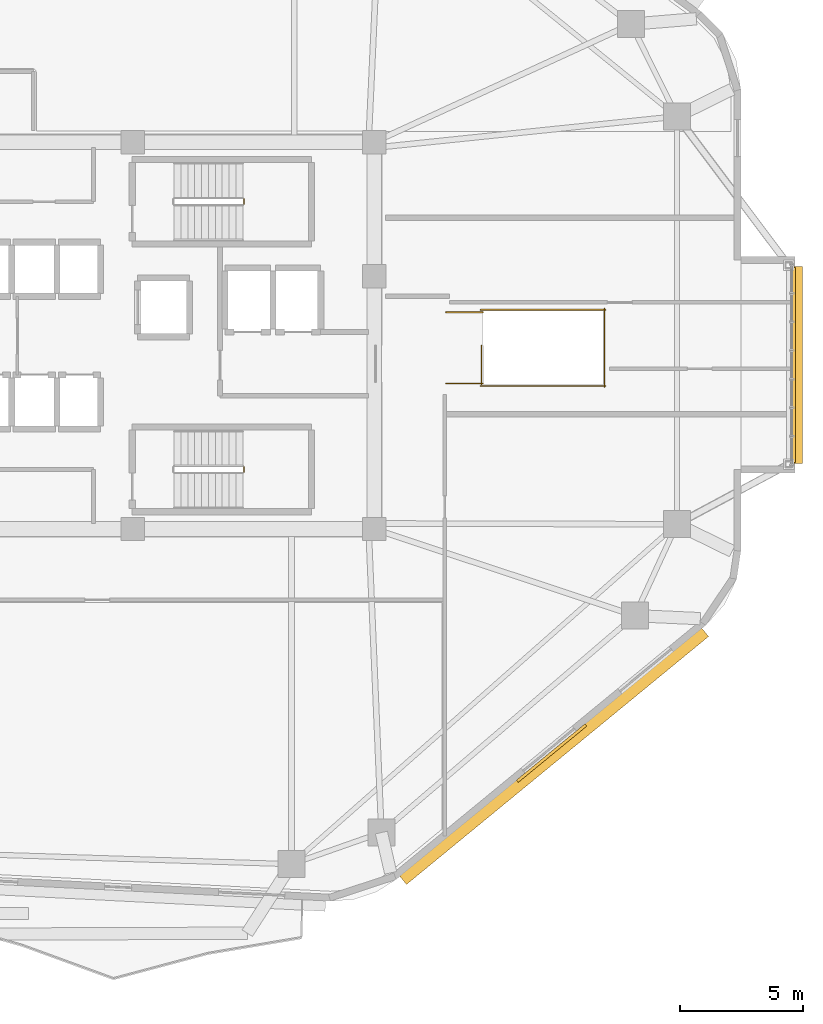
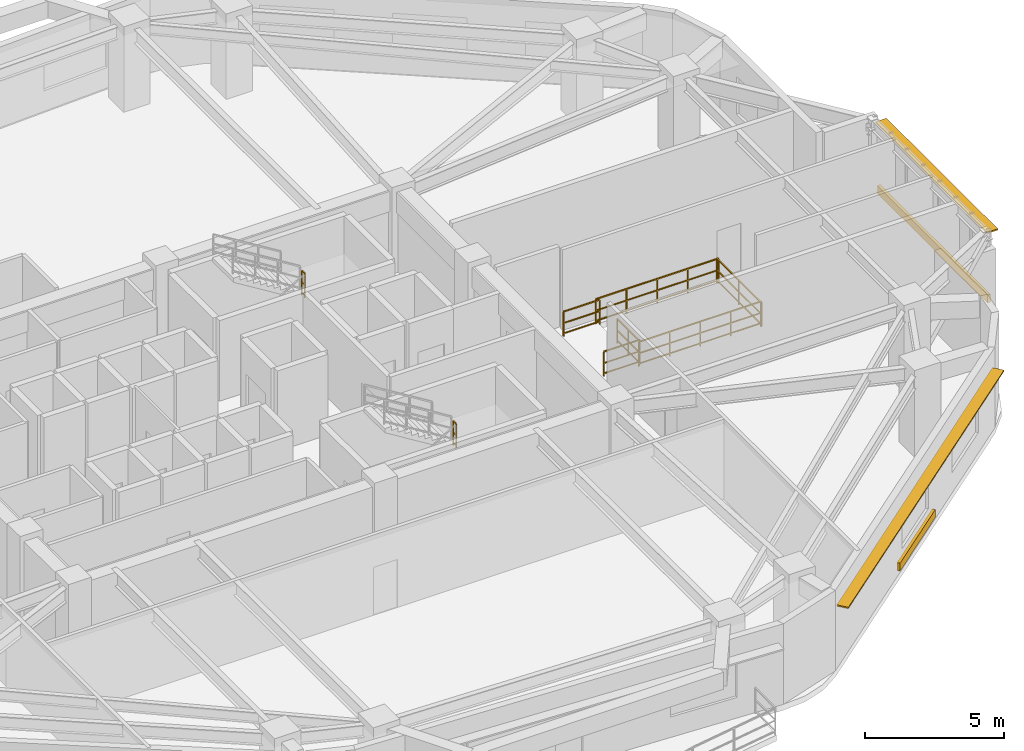
# One storey, part 13 of 14: 8 railings, 4 shading devices.
"""IFC4 building model written with IfcOpenShell, lengths in metres."""

from ifc_helpers import new_model, si_unit, direction, frame, origin, origin_2d, place, context, subcontext, project, spatial, rectangle, extrude, material, layer, layer_set, type_object, element, save


model = new_model("IFC4")

# Units and contexts
model_context = context("Model", 3, precision=1e-05, world=origin(), true_north=direction((0.0, 1.0)))
body_context = subcontext(model_context, "Body", "Model", "MODEL_VIEW")
ifc_project = project(units=[si_unit("LENGTHUNIT", "METRE"), si_unit("AREAUNIT", "SQUARE_METRE"), si_unit("VOLUMEUNIT", "CUBIC_METRE"), si_unit("PLANEANGLEUNIT", "RADIAN"), si_unit("MASSUNIT", "GRAM", prefix="KILO")], contexts=[model_context])

# Site, building, storey
site_placement = place(None, origin())
site = spatial("IfcSite", under=ifc_project, at=site_placement, CompositionType="ELEMENT")
building_placement = place(site_placement, origin())
building = spatial("IfcBuilding", under=site, at=building_placement, Name="Zulverin Broadcast Headquarters", CompositionType="ELEMENT")
storey_placement = place(building_placement, frame((0.0, 0.0, 128.800048828125)))
storey = spatial("IfcBuildingStorey", under=building, at=storey_placement, Name="L32", CompositionType="ELEMENT", Elevation=128.800048828125)

# Railings
ifc_material_1 = material(Name="Painted galvanized steel tubular guardrail S355JR", Category="steel")
railing_type = type_object("IfcRailingType", Name="RL-ST-GUARD", PredefinedType="GUARDRAIL", material=ifc_material_1)
railing_1_placement = place(storey_placement, frame((42.97998046875, 30.550048828125, 1.89990234375)))
element("IfcRailing", 1, at=railing_1_placement, inside=storey, type_object=railing_type, Name="L32 ST-1 stair guard 2", PredefinedType="GUARDRAIL", context=body_context, shape_type="SweptSolid", body=[
    extrude(rectangle(XDim=0.048095703125, YDim=0.048095703125, at=origin_2d()), frame((0.0, 0.0, 1.076171875), z_axis=(0.0, 1.0, 0.0), x_axis=(-1.0, 0.0, 0.0)), (0.0, 0.0, 1.0), 0.199951171875),
    extrude(rectangle(XDim=0.0419921875, YDim=0.0419921875, at=origin_2d()), frame((0.0, 0.0, 0.572021484375), z_axis=(0.0, 1.0, 0.0), x_axis=(-1.0, 0.0, 0.0)), (0.0, 0.0, 1.0), 0.199951171875),
    extrude(rectangle(XDim=0.0419921875, YDim=0.0419921875, at=origin_2d()), frame((0.0, 0.0, 0.1201171875), z_axis=(0.0, 1.0, 0.0), x_axis=(-1.0, 0.0, 0.0)), (0.0, 0.0, 1.0), 0.199951171875),
    extrude(rectangle(XDim=0.0419921875, YDim=0.0419921875, at=origin_2d()), origin(), (0.0, 0.0, 1.0), 1.052001953125),
    extrude(rectangle(XDim=0.0419921875, YDim=0.0419921875, at=origin_2d()), frame((0.0, 0.199951171875, 0.0)), (0.0, 0.0, 1.0), 1.052001953125),
])
railing_2_placement = place(storey_placement, frame((42.97998046875, 19.64990234375, 1.89990234375)))
element("IfcRailing", 2, at=railing_2_placement, inside=storey, type_object=railing_type, Name="L32 ST-2 stair guard 2", PredefinedType="GUARDRAIL", context=body_context, shape_type="SweptSolid", body=[
    extrude(rectangle(XDim=0.048095703125, YDim=0.048095703125, at=origin_2d()), frame((0.0, 0.0, 1.076171875), z_axis=(0.0, 1.0, 0.0), x_axis=(-1.0, 0.0, 0.0)), (0.0, 0.0, 1.0), 0.2001953125),
    extrude(rectangle(XDim=0.0419921875, YDim=0.0419921875, at=origin_2d()), frame((0.0, 0.0, 0.572021484375), z_axis=(0.0, 1.0, 0.0), x_axis=(-1.0, 0.0, 0.0)), (0.0, 0.0, 1.0), 0.2001953125),
    extrude(rectangle(XDim=0.0419921875, YDim=0.0419921875, at=origin_2d()), frame((0.0, 0.0, 0.1201171875), z_axis=(0.0, 1.0, 0.0), x_axis=(-1.0, 0.0, 0.0)), (0.0, 0.0, 1.0), 0.2001953125),
    extrude(rectangle(XDim=0.0419921875, YDim=0.0419921875, at=origin_2d()), origin(), (0.0, 0.0, 1.0), 1.052001953125),
    extrude(rectangle(XDim=0.0419921875, YDim=0.0419921875, at=origin_2d()), frame((0.0, 0.2001953125, 0.0)), (0.0, 0.0, 1.0), 1.052001953125),
])
railing_3_placement = place(storey_placement, frame((52.64990234375, 23.199951171875, 0.0)))
element("IfcRailing", 3, at=railing_3_placement, inside=storey, type_object=railing_type, Name="L32 ST-6 top well guard 1", PredefinedType="GUARDRAIL", context=body_context, shape_type="SweptSolid", body=[
    extrude(rectangle(XDim=0.048095703125, YDim=0.048095703125, at=origin_2d()), frame((0.0, 0.0, 1.076171875), z_axis=(0.0, 1.0, 0.0), x_axis=(-1.0, 0.0, 0.0)), (0.0, 0.0, 1.0), 1.60009765625),
    extrude(rectangle(XDim=0.0419921875, YDim=0.0419921875, at=origin_2d()), frame((0.0, 0.0, 0.572021484375), z_axis=(0.0, 1.0, 0.0), x_axis=(-1.0, 0.0, 0.0)), (0.0, 0.0, 1.0), 1.60009765625),
    extrude(rectangle(XDim=0.0419921875, YDim=0.0419921875, at=origin_2d()), frame((0.0, 0.0, 0.1201171875), z_axis=(0.0, 1.0, 0.0), x_axis=(-1.0, 0.0, 0.0)), (0.0, 0.0, 1.0), 1.60009765625),
    extrude(rectangle(XDim=0.0419921875, YDim=0.0419921875, at=origin_2d()), origin(), (0.0, 0.0, 1.0), 1.052001953125),
    extrude(rectangle(XDim=0.0419921875, YDim=0.0419921875, at=origin_2d()), frame((0.0, 0.800048828125, 0.0)), (0.0, 0.0, 1.0), 1.052001953125),
    extrude(rectangle(XDim=0.0419921875, YDim=0.0419921875, at=origin_2d()), frame((0.0, 1.60009765625, 0.0)), (0.0, 0.0, 1.0), 1.052001953125),
])
for number, where, name in (
    (4, (52.60009765625, 23.14990234375, 0.0), "L32 ST-6 top well guard 2"),
    (5, (52.60009765625, 26.25, 0.0), "L32 ST-6 top well guard 3"),
):
    element("IfcRailing", number, at=place(storey_placement, frame(where)), inside=storey, type_object=railing_type, Name=name, PredefinedType="GUARDRAIL", context=body_context, shape_type="SweptSolid", body=[
        extrude(rectangle(XDim=0.048095703125, YDim=0.048095703125, at=origin_2d()), frame((0.0, 0.0, 1.076171875), z_axis=(1.0, 0.0, 0.0), x_axis=(0.0, 1.0, 0.0)), (0.0, 0.0, 1.0), 5.099853515625),
        extrude(rectangle(XDim=0.0419921875, YDim=0.0419921875, at=origin_2d()), frame((0.0, 0.0, 0.572021484375), z_axis=(1.0, 0.0, 0.0), x_axis=(0.0, 1.0, 0.0)), (0.0, 0.0, 1.0), 5.099853515625),
        extrude(rectangle(XDim=0.0419921875, YDim=0.0419921875, at=origin_2d()), frame((0.0, 0.0, 0.1201171875), z_axis=(1.0, 0.0, 0.0), x_axis=(0.0, 1.0, 0.0)), (0.0, 0.0, 1.0), 5.099853515625),
        extrude(rectangle(XDim=0.0419921875, YDim=0.0419921875, at=origin_2d()), origin(), (0.0, 0.0, 1.0), 1.052001953125),
        extrude(rectangle(XDim=0.0419921875, YDim=0.0419921875, at=origin_2d()), frame((1.27490234375, 0.0, 0.0)), (0.0, 0.0, 1.0), 1.052001953125),
        extrude(rectangle(XDim=0.0419921875, YDim=0.0419921875, at=origin_2d()), frame((2.5498046875, 0.0, 0.0)), (0.0, 0.0, 1.0), 1.052001953125),
        extrude(rectangle(XDim=0.0419921875, YDim=0.0419921875, at=origin_2d()), frame((3.824951171875, 0.0, 0.0)), (0.0, 0.0, 1.0), 1.052001953125),
        extrude(rectangle(XDim=0.0419921875, YDim=0.0419921875, at=origin_2d()), frame((5.099853515625, 0.0, 0.0)), (0.0, 0.0, 1.0), 1.052001953125),
    ])
railing_4_placement = place(storey_placement, frame((57.64990234375, 23.10009765625, 0.0)))
element("IfcRailing", 6, at=railing_4_placement, inside=storey, type_object=railing_type, Name="L32 ST-6 top well guard 4", PredefinedType="GUARDRAIL", context=body_context, shape_type="SweptSolid", body=[
    extrude(rectangle(XDim=0.048095703125, YDim=0.048095703125, at=origin_2d()), frame((0.0, 0.0, 1.076171875), z_axis=(0.0, 1.0, 0.0), x_axis=(-1.0, 0.0, 0.0)), (0.0, 0.0, 1.0), 3.199951171875),
    extrude(rectangle(XDim=0.0419921875, YDim=0.0419921875, at=origin_2d()), frame((0.0, 0.0, 0.572021484375), z_axis=(0.0, 1.0, 0.0), x_axis=(-1.0, 0.0, 0.0)), (0.0, 0.0, 1.0), 3.199951171875),
    extrude(rectangle(XDim=0.0419921875, YDim=0.0419921875, at=origin_2d()), frame((0.0, 0.0, 0.1201171875), z_axis=(0.0, 1.0, 0.0), x_axis=(-1.0, 0.0, 0.0)), (0.0, 0.0, 1.0), 3.199951171875),
    extrude(rectangle(XDim=0.0419921875, YDim=0.0419921875, at=origin_2d()), origin(), (0.0, 0.0, 1.0), 1.052001953125),
    extrude(rectangle(XDim=0.0419921875, YDim=0.0419921875, at=origin_2d()), frame((0.0, 1.60009765625, 0.0)), (0.0, 0.0, 1.0), 1.052001953125),
    extrude(rectangle(XDim=0.0419921875, YDim=0.0419921875, at=origin_2d()), frame((0.0, 3.199951171875, 0.0)), (0.0, 0.0, 1.0), 1.052001953125),
])
for number, where, name in (
    (7, (51.199951171875, 23.25, 0.0), "L32 ST-6 top well guard 5"),
    (8, (51.199951171875, 26.14990234375, 0.0), "L32 ST-6 top well guard 6"),
):
    element("IfcRailing", number, at=place(storey_placement, frame(where)), inside=storey, type_object=railing_type, Name=name, PredefinedType="GUARDRAIL", context=body_context, shape_type="SweptSolid", body=[
        extrude(rectangle(XDim=0.048095703125, YDim=0.048095703125, at=origin_2d()), frame((0.0, 0.0, 1.076171875), z_axis=(1.0, 0.0, 0.0), x_axis=(0.0, 1.0, 0.0)), (0.0, 0.0, 1.0), 1.5),
        extrude(rectangle(XDim=0.0419921875, YDim=0.0419921875, at=origin_2d()), frame((0.0, 0.0, 0.572021484375), z_axis=(1.0, 0.0, 0.0), x_axis=(0.0, 1.0, 0.0)), (0.0, 0.0, 1.0), 1.5),
        extrude(rectangle(XDim=0.0419921875, YDim=0.0419921875, at=origin_2d()), frame((0.0, 0.0, 0.1201171875), z_axis=(1.0, 0.0, 0.0), x_axis=(0.0, 1.0, 0.0)), (0.0, 0.0, 1.0), 1.5),
        extrude(rectangle(XDim=0.0419921875, YDim=0.0419921875, at=origin_2d()), origin(), (0.0, 0.0, 1.0), 1.052001953125),
        extrude(rectangle(XDim=0.0419921875, YDim=0.0419921875, at=origin_2d()), frame((1.5, 0.0, 0.0)), (0.0, 0.0, 1.0), 1.052001953125),
    ])

# Shading devices
ifc_material_2 = material(Name="Anodized pale-metal aluminium acoustic louvre", Category="aluminium")
shading_device_type_1 = type_object("IfcShadingDeviceType", Name="SHD-LOUVRE-350", PredefinedType="USERDEFINED", material=ifc_material_2)
shading_device_1_placement = place(storey_placement, frame((55.4970703125, 8.19921875, 0.244873046875), z_axis=(0.0, 0.0, 1.0), x_axis=(0.77293958613, 0.634479626302, 0.0)))
element("IfcShadingDevice", 9, at=shading_device_1_placement, inside=storey, type_object=shading_device_type_1, Name="L32 Spandrel Intake Louvre 2", ObjectType="LOUVRE", PredefinedType="USERDEFINED", context=body_context, shape_type="SweptSolid", body=[
    extrude(rectangle(XDim=3.60009765625, YDim=0.1201171875, at=origin_2d()), origin(), (0.0, 0.0, 1.0), 0.35009765625),
])
shading_device_2_placement = place(storey_placement, frame((65.360107421875, 24.010009765625, 0.224853515625), z_axis=(0.0, 0.0, 1.0), x_axis=(0.0, 1.0, 0.0)))
element("IfcShadingDevice", 10, at=shading_device_2_placement, inside=storey, type_object=shading_device_type_1, Name="L32 Pale-Metal Acoustic Louvre Screen CW-L32-SBOX_SKY1_E-F", ObjectType="LOUVRE", PredefinedType="USERDEFINED", context=body_context, shape_type="SweptSolid", body=[
    extrude(rectangle(XDim=7.93994140625, YDim=0.1201171875, at=origin_2d()), origin(), (0.0, 0.0, 1.0), 0.35009765625),
])
ifc_material_3 = material(Name="Anodized pale-metal aluminium sunshade", Category="aluminium")
ifc_layer = layer(ifc_material_3, 0.06005859375, Name="Anodized pale-metal aluminium sunshade", Category="aluminium")
ifc_layer_set = layer_set([ifc_layer], Name="Anodized pale-metal aluminium sunshade")
shading_device_type_2 = type_object("IfcShadingDeviceType", Name="SS-01_PALE_METAL_ALUMINIUM_SUNSHADE", PredefinedType="USERDEFINED", material=ifc_layer_set)
shading_device_3_placement = place(storey_placement, frame((55.598388671875, 8.075439453125, 2.7099609375), z_axis=(0.0, 0.0, 1.0), x_axis=(0.77293958613, 0.634479626302, 0.0)))
element("IfcShadingDevice", 11, at=shading_device_3_placement, inside=storey, type_object=shading_device_type_2, Name="L32 Horizontal Pale-Metal Sunshade Band 2", ObjectType="SUNSHADE", PredefinedType="USERDEFINED", context=body_context, shape_type="SweptSolid", body=[
    extrude(rectangle(XDim=15.90869140625, YDim=0.449951171875, at=origin_2d()), origin(), (0.0, 0.0, 1.0), 0.06005859375),
])
shading_device_4_placement = place(storey_placement, frame((65.47998046875, 24.010009765625, 3.309814453125), z_axis=(0.0, 0.0, 1.0), x_axis=(0.0, 1.0, 0.0)))
element("IfcShadingDevice", 12, at=shading_device_4_placement, inside=storey, type_object=shading_device_type_2, Name="L32 Pale-Metal Horizontal Sunshade Band CW-L32-SBOX_SKY1_E-F", ObjectType="SUNSHADE", PredefinedType="USERDEFINED", context=body_context, shape_type="SweptSolid", body=[
    extrude(rectangle(XDim=8.02001953125, YDim=0.449951171875, at=origin_2d()), origin(), (0.0, 0.0, 1.0), 0.06005859375),
])

save(model, "model.ifc")
